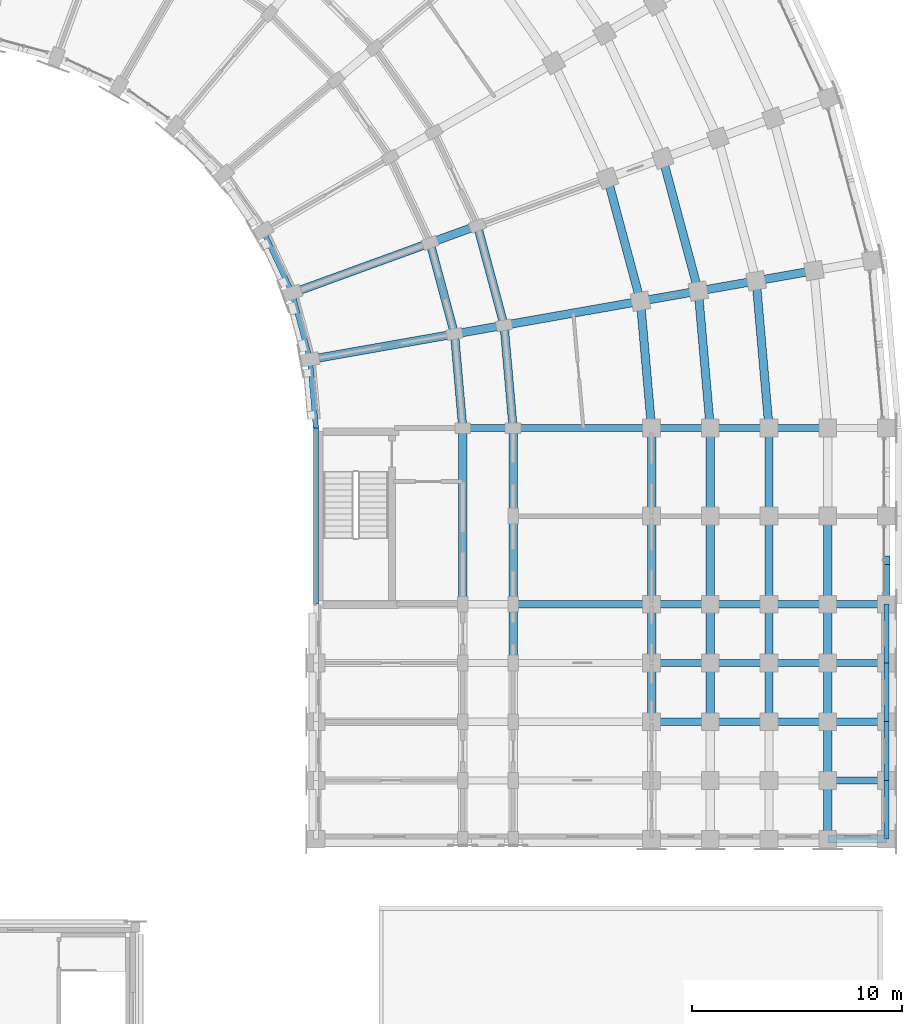
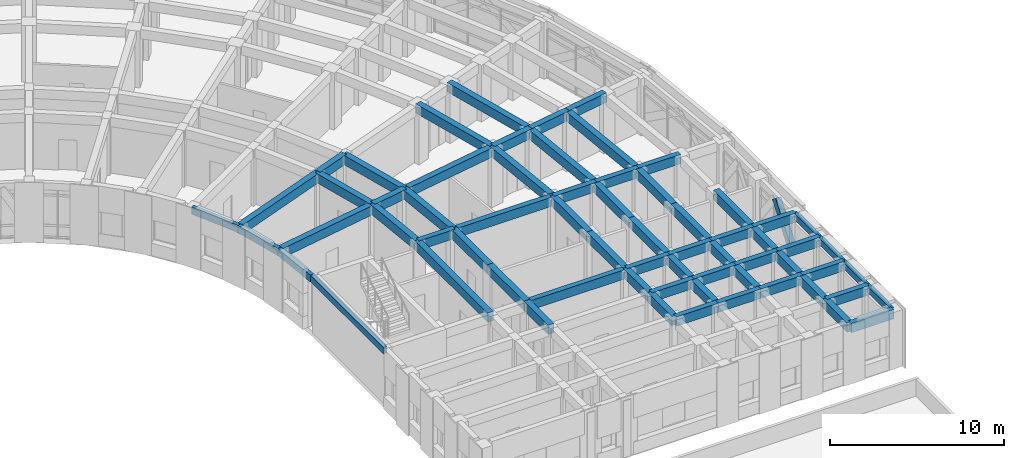
# One storey, part 31 of 97: 67 beams.
"""IFC4 building model written with IfcOpenShell, lengths in metres."""

from ifc_helpers import new_model, si_unit, direction, frame, origin, origin_2d, place, context, subcontext, project, spatial, rectangle, extrude, material, material_profile, profile_set, type_object, element, save


model = new_model("IFC4")

# Units and contexts
model_context = context("Model", 3, precision=1e-05, world=origin(), true_north=direction((0.0, 1.0)))
body_context = subcontext(model_context, "Body", "Model", "MODEL_VIEW")
ifc_project = project(units=[si_unit("LENGTHUNIT", "METRE"), si_unit("AREAUNIT", "SQUARE_METRE"), si_unit("VOLUMEUNIT", "CUBIC_METRE"), si_unit("PLANEANGLEUNIT", "RADIAN"), si_unit("MASSUNIT", "GRAM", prefix="KILO")], contexts=[model_context])

# Site, building, storey
site_placement = place(None, origin())
site = spatial("IfcSite", under=ifc_project, at=site_placement, CompositionType="ELEMENT")
building_placement = place(site_placement, origin())
building = spatial("IfcBuilding", under=site, at=building_placement, Name="Kiranvali Square Residences", CompositionType="ELEMENT")
storey_placement = place(building_placement, frame((0.0, 0.0, 4.5)))
storey = spatial("IfcBuildingStorey", under=building, at=storey_placement, Name="L01", CompositionType="ELEMENT", Elevation=4.5)

# Beams
ifc_material_1 = material(Name="Concrete M40 (40 MPa)", Category="concrete")
ifc_material_profile_1 = material_profile(ifc_material_1, rectangle(XDim=0.35009765625, YDim=0.5, at=origin_2d()), Name="RC 350x500")
ifc_profile_set_1 = profile_set([ifc_material_profile_1], Name="Concrete M40 (40 MPa)")
beam_type_1 = type_object("IfcBeamType", Name="AR-M40-350x500", PredefinedType="USERDEFINED", material=ifc_profile_set_1)
beam_1_placement = place(storey_placement, frame((165.800048828125, 81.5, 3.64990234375), z_axis=(0.0, -0.599545163906, -0.800340925129), x_axis=(1.0, 0.0, 0.0)))
element("IfcBeam", 1, at=beam_1_placement, inside=storey, type_object=beam_type_1, Name="Classical pointed Ottoman arch rib ARCH-B-A2-1.2", ObjectType="ARCH RIB", PredefinedType="USERDEFINED", context=body_context, shape_type="SweptSolid", body=[
    extrude(rectangle(XDim=0.35009765625, YDim=0.5, at=origin_2d()), origin(), (0.0, 0.0, 1.0), 3.43603515625),
])
ifc_material_profile_2 = material_profile(ifc_material_1, rectangle(XDim=0.35009765625, YDim=0.64990234375, at=origin_2d()), Name="RC 350x650")
ifc_profile_set_2 = profile_set([ifc_material_profile_2], Name="Concrete M40 (40 MPa)")
beam_type_2 = type_object("IfcBeamType", Name="BM-M40-350x650", PredefinedType="BEAM", material=ifc_profile_set_2)
beam_2_placement = place(storey_placement, frame((145.60009765625, 87.800048828125, 3.655029296875), z_axis=(1.0, 0.0, 0.0), x_axis=(0.0, 1.0, 0.0)))
element("IfcBeam", 2, at=beam_2_placement, inside=storey, type_object=beam_type_2, Name="L01 beam BM-B-L01-A2T0-12", PredefinedType="BEAM", context=body_context, shape_type="SweptSolid", body=[
    extrude(rectangle(XDim=0.35009765625, YDim=0.64990234375, at=origin_2d()), origin(), (0.0, 0.0, 1.0), 2.39990234375),
])
beam_3_placement = place(storey_placement, frame((148.0, 87.800048828125, 3.655029296875), z_axis=(1.0, 0.0, 0.0), x_axis=(0.0, 1.0, 0.0)))
element("IfcBeam", 3, at=beam_3_placement, inside=storey, type_object=beam_type_2, Name="L01 beam BM-B-L01-A2T0-23", PredefinedType="BEAM", context=body_context, shape_type="SweptSolid", body=[
    extrude(rectangle(XDim=0.35009765625, YDim=0.64990234375, at=origin_2d()), origin(), (0.0, 0.0, 1.0), 6.60009765625),
])
beam_4_placement = place(storey_placement, frame((154.60009765625, 87.800048828125, 3.655029296875), z_axis=(1.0, 0.0, 0.0), x_axis=(0.0, 1.0, 0.0)))
element("IfcBeam", 4, at=beam_4_placement, inside=storey, type_object=beam_type_2, Name="L01 beam BM-B-L01-A2T0-34", PredefinedType="BEAM", context=body_context, shape_type="SweptSolid", body=[
    extrude(rectangle(XDim=0.35009765625, YDim=0.64990234375, at=origin_2d()), origin(), (0.0, 0.0, 1.0), 2.7998046875),
])
for number, where, z_axis, x_axis, name in (
    (5, (157.39990234375, 87.800048828125, 3.655029296875), (1.0, 0.0, 0.0), (0.0, 1.0, 0.0), "L01 beam BM-B-L01-A2T0-45"),
    (6, (160.199951171875, 87.800048828125, 3.655029296875), (1.0, 0.0, 0.0), (0.0, 1.0, 0.0), "L01 beam BM-B-L01-A2T0-56"),
):
    element("IfcBeam", number, at=place(storey_placement, frame(where, z_axis=z_axis, x_axis=x_axis)), inside=storey, type_object=beam_type_2, Name=name, PredefinedType="BEAM", context=body_context, shape_type="SweptSolid", body=[
        extrude(rectangle(XDim=0.35009765625, YDim=0.64990234375, at=origin_2d()), origin(), (0.0, 0.0, 1.0), 2.800048828125),
    ])
beam_5_placement = place(storey_placement, frame((148.0, 79.39990234375, 3.655029296875), z_axis=(1.0, 0.0, 0.0), x_axis=(0.0, 1.0, 0.0)))
element("IfcBeam", 7, at=beam_5_placement, inside=storey, type_object=beam_type_2, Name="L01 beam BM-B-L01-A2T1-23", PredefinedType="BEAM", context=body_context, shape_type="SweptSolid", body=[
    extrude(rectangle(XDim=0.35009765625, YDim=0.64990234375, at=origin_2d()), origin(), (0.0, 0.0, 1.0), 6.60009765625),
])
beam_6_placement = place(storey_placement, frame((154.60009765625, 79.39990234375, 3.655029296875), z_axis=(1.0, 0.0, 0.0), x_axis=(0.0, 1.0, 0.0)))
element("IfcBeam", 8, at=beam_6_placement, inside=storey, type_object=beam_type_2, Name="L01 beam BM-B-L01-A2T1-34", PredefinedType="BEAM", context=body_context, shape_type="SweptSolid", body=[
    extrude(rectangle(XDim=0.35009765625, YDim=0.64990234375, at=origin_2d()), origin(), (0.0, 0.0, 1.0), 2.7998046875),
])
for number, where, z_axis, x_axis, name in (
    (9, (157.39990234375, 79.39990234375, 3.655029296875), (1.0, 0.0, 0.0), (0.0, 1.0, 0.0), "L01 beam BM-B-L01-A2T1-45"),
    (10, (160.199951171875, 79.39990234375, 3.655029296875), (1.0, 0.0, 0.0), (0.0, 1.0, 0.0), "L01 beam BM-B-L01-A2T1-56"),
    (11, (163.0, 79.39990234375, 3.655029296875), (1.0, 0.0, 0.0), (0.0, 1.0, 0.0), "L01 beam BM-B-L01-A2T1-67"),
):
    element("IfcBeam", number, at=place(storey_placement, frame(where, z_axis=z_axis, x_axis=x_axis)), inside=storey, type_object=beam_type_2, Name=name, PredefinedType="BEAM", context=body_context, shape_type="SweptSolid", body=[
        extrude(rectangle(XDim=0.35009765625, YDim=0.64990234375, at=origin_2d()), origin(), (0.0, 0.0, 1.0), 2.800048828125),
    ])
beam_7_placement = place(storey_placement, frame((154.60009765625, 76.60009765625, 3.655029296875), z_axis=(1.0, 0.0, 0.0), x_axis=(0.0, 1.0, 0.0)))
element("IfcBeam", 12, at=beam_7_placement, inside=storey, type_object=beam_type_2, Name="L01 beam BM-B-L01-A2T2-34", PredefinedType="BEAM", context=body_context, shape_type="SweptSolid", body=[
    extrude(rectangle(XDim=0.35009765625, YDim=0.64990234375, at=origin_2d()), origin(), (0.0, 0.0, 1.0), 2.7998046875),
])
for number, where, z_axis, x_axis, name in (
    (13, (157.39990234375, 76.60009765625, 3.655029296875), (1.0, 0.0, 0.0), (0.0, 1.0, 0.0), "L01 beam BM-B-L01-A2T2-45"),
    (14, (160.199951171875, 76.60009765625, 3.655029296875), (1.0, 0.0, 0.0), (0.0, 1.0, 0.0), "L01 beam BM-B-L01-A2T2-56"),
    (15, (163.0, 76.60009765625, 3.655029296875), (1.0, 0.0, 0.0), (0.0, 1.0, 0.0), "L01 beam BM-B-L01-A2T2-67"),
):
    element("IfcBeam", number, at=place(storey_placement, frame(where, z_axis=z_axis, x_axis=x_axis)), inside=storey, type_object=beam_type_2, Name=name, PredefinedType="BEAM", context=body_context, shape_type="SweptSolid", body=[
        extrude(rectangle(XDim=0.35009765625, YDim=0.64990234375, at=origin_2d()), origin(), (0.0, 0.0, 1.0), 2.800048828125),
    ])
beam_8_placement = place(storey_placement, frame((154.60009765625, 73.800048828125, 3.655029296875), z_axis=(1.0, 0.0, 0.0), x_axis=(0.0, 1.0, 0.0)))
element("IfcBeam", 16, at=beam_8_placement, inside=storey, type_object=beam_type_2, Name="L01 beam BM-B-L01-A2T3-34", PredefinedType="BEAM", context=body_context, shape_type="SweptSolid", body=[
    extrude(rectangle(XDim=0.35009765625, YDim=0.64990234375, at=origin_2d()), origin(), (0.0, 0.0, 1.0), 2.7998046875),
])
for number, where, z_axis, x_axis, name in (
    (17, (157.39990234375, 73.800048828125, 3.655029296875), (1.0, 0.0, 0.0), (0.0, 1.0, 0.0), "L01 beam BM-B-L01-A2T3-45"),
    (18, (160.199951171875, 73.800048828125, 3.655029296875), (1.0, 0.0, 0.0), (0.0, 1.0, 0.0), "L01 beam BM-B-L01-A2T3-56"),
    (19, (163.0, 73.800048828125, 3.655029296875), (1.0, 0.0, 0.0), (0.0, 1.0, 0.0), "L01 beam BM-B-L01-A2T3-67"),
    (20, (163.0, 71.0, 3.655029296875), (1.0, 0.0, 0.0), (0.0, 1.0, 0.0), "L01 beam BM-B-L01-A2T4-67"),
    (21, (163.0, 68.199951171875, 3.655029296875), (1.0, 0.0, 0.0), (0.0, 1.0, 0.0), "L01 beam BM-B-L01-A2T5-67"),
):
    element("IfcBeam", number, at=place(storey_placement, frame(where, z_axis=z_axis, x_axis=x_axis)), inside=storey, type_object=beam_type_2, Name=name, PredefinedType="BEAM", context=body_context, shape_type="SweptSolid", body=[
        extrude(rectangle(XDim=0.35009765625, YDim=0.64990234375, at=origin_2d()), origin(), (0.0, 0.0, 1.0), 2.800048828125),
    ])
ifc_material_2 = material(Name="Concrete M45 (45 MPa)", Category="concrete")
ifc_material_profile_3 = material_profile(ifc_material_2, rectangle(XDim=0.39990234375, YDim=0.64990234375, at=origin_2d()), Name="RC 400x650")
ifc_profile_set_3 = profile_set([ifc_material_profile_3], Name="Concrete M45 (45 MPa)")
beam_type_3 = type_object("IfcBeamType", Name="BM-M45-400x650", PredefinedType="BEAM", material=ifc_profile_set_3)
beam_9_placement = place(storey_placement, frame((144.044189453125, 96.6240234375, 3.655029296875), z_axis=(0.258787642463, -0.965934240054, 0.0), x_axis=(0.965934240054, 0.258787642463, 0.0)))
element("IfcBeam", 22, at=beam_9_placement, inside=storey, type_object=beam_type_3, Name="L01 beam BM-B-L01-C07-R1", PredefinedType="BEAM", context=body_context, shape_type="SweptSolid", body=[
    extrude(rectangle(XDim=0.39990234375, YDim=0.64990234375, at=origin_2d()), origin(), (0.0, 0.0, 1.0), 4.497314453125),
])
beam_10_placement = place(storey_placement, frame((146.29931640625, 97.445068359375, 3.655029296875), z_axis=(0.258803112091, -0.965930095386, 0.0), x_axis=(0.965930095386, 0.258803112091, 0.0)))
element("IfcBeam", 23, at=beam_10_placement, inside=storey, type_object=beam_type_3, Name="L01 beam BM-B-L01-C07-R2", PredefinedType="BEAM", context=body_context, shape_type="SweptSolid", body=[
    extrude(rectangle(XDim=0.39990234375, YDim=0.64990234375, at=origin_2d()), origin(), (0.0, 0.0, 1.0), 4.915771484375),
])
beam_11_placement = place(storey_placement, frame((152.501220703125, 99.702392578125, 3.655029296875), z_axis=(0.258827283048, -0.965923618901, 0.0), x_axis=(0.965923618901, 0.258827283048, 0.0)))
element("IfcBeam", 24, at=beam_11_placement, inside=storey, type_object=beam_type_3, Name="L01 beam BM-B-L01-C07-R3", PredefinedType="BEAM", context=body_context, shape_type="SweptSolid", body=[
    extrude(rectangle(XDim=0.39990234375, YDim=0.64990234375, at=origin_2d()), origin(), (0.0, 0.0, 1.0), 6.066162109375),
])
beam_12_placement = place(storey_placement, frame((155.13232421875, 100.659912109375, 3.655029296875), z_axis=(0.258847178297, -0.965918287583, 0.0), x_axis=(0.965918287583, 0.258847178297, 0.0)))
element("IfcBeam", 25, at=beam_12_placement, inside=storey, type_object=beam_type_3, Name="L01 beam BM-B-L01-C07-R4", PredefinedType="BEAM", context=body_context, shape_type="SweptSolid", body=[
    extrude(rectangle(XDim=0.39990234375, YDim=0.64990234375, at=origin_2d()), origin(), (0.0, 0.0, 1.0), 6.55419921875),
])
beam_13_placement = place(storey_placement, frame((145.2080078125, 92.280029296875, 3.655029296875), z_axis=(0.087187153726, -0.996191949488, 0.0), x_axis=(0.996191949488, 0.087187153726, 0.0)))
element("IfcBeam", 26, at=beam_13_placement, inside=storey, type_object=beam_type_3, Name="L01 beam BM-B-L01-C08-R1", PredefinedType="BEAM", context=body_context, shape_type="SweptSolid", body=[
    extrude(rectangle(XDim=0.39990234375, YDim=0.64990234375, at=origin_2d()), origin(), (0.0, 0.0, 1.0), 4.4970703125),
])
beam_14_placement = place(storey_placement, frame((147.571533203125, 92.69677734375, 3.655029296875), z_axis=(0.087167566415, -0.996193663584, 0.0), x_axis=(0.996193663584, 0.087167566415, 0.0)))
element("IfcBeam", 27, at=beam_14_placement, inside=storey, type_object=beam_type_3, Name="L01 beam BM-B-L01-C08-R2", PredefinedType="BEAM", context=body_context, shape_type="SweptSolid", body=[
    extrude(rectangle(XDim=0.39990234375, YDim=0.64990234375, at=origin_2d()), origin(), (0.0, 0.0, 1.0), 4.91552734375),
])
beam_15_placement = place(storey_placement, frame((154.0712890625, 93.843017578125, 3.655029296875), z_axis=(0.087174938512, -0.996193018494, 0.0), x_axis=(0.996193018494, 0.087174938512, 0.0)))
element("IfcBeam", 28, at=beam_15_placement, inside=storey, type_object=beam_type_3, Name="L01 beam BM-B-L01-C08-R3", PredefinedType="BEAM", context=body_context, shape_type="SweptSolid", body=[
    extrude(rectangle(XDim=0.39990234375, YDim=0.64990234375, at=origin_2d()), origin(), (0.0, 0.0, 1.0), 6.066162109375),
])
beam_16_placement = place(storey_placement, frame((156.828857421875, 94.3291015625, 3.655029296875), z_axis=(0.0871295204, -0.996196991902, 0.0), x_axis=(0.996196991902, 0.0871295204, 0.0)))
element("IfcBeam", 29, at=beam_16_placement, inside=storey, type_object=beam_type_3, Name="L01 beam BM-B-L01-C08-R4", PredefinedType="BEAM", context=body_context, shape_type="SweptSolid", body=[
    extrude(rectangle(XDim=0.39990234375, YDim=0.64990234375, at=origin_2d()), origin(), (0.0, 0.0, 1.0), 6.553955078125),
])
beam_17_placement = place(storey_placement, frame((159.586181640625, 94.8154296875, 3.655029296875), z_axis=(0.087156198737, -0.996194658198, 0.0), x_axis=(0.996194658198, 0.087156198737, 0.0)))
element("IfcBeam", 30, at=beam_17_placement, inside=storey, type_object=beam_type_3, Name="L01 beam BM-B-L01-C08-R5", PredefinedType="BEAM", context=body_context, shape_type="SweptSolid", body=[
    extrude(rectangle(XDim=0.39990234375, YDim=0.64990234375, at=origin_2d()), origin(), (0.0, 0.0, 1.0), 7.042236328125),
])
beam_18_placement = place(storey_placement, frame((137.46630859375, 94.22998046875, 3.655029296875), z_axis=(0.939697665127, 0.342006283793, 0.0), x_axis=(-0.342006283793, 0.939697665127, 0.0)))
element("IfcBeam", 31, at=beam_18_placement, inside=storey, type_object=beam_type_3, Name="L01 beam BM-B-L01-RAD07-01", PredefinedType="BEAM", context=body_context, shape_type="SweptSolid", body=[
    extrude(rectangle(XDim=0.39990234375, YDim=0.64990234375, at=origin_2d()), origin(), (0.0, 0.0, 1.0), 7.0),
])
beam_19_placement = place(storey_placement, frame((144.044189453125, 96.6240234375, 3.655029296875), z_axis=(0.939659694648, 0.342110593602, 0.0), x_axis=(-0.342110593602, 0.939659694648, 0.0)))
element("IfcBeam", 32, at=beam_19_placement, inside=storey, type_object=beam_type_3, Name="L01 beam BM-B-L01-RAD07-12", PredefinedType="BEAM", context=body_context, shape_type="SweptSolid", body=[
    extrude(rectangle(XDim=0.39990234375, YDim=0.64990234375, at=origin_2d()), origin(), (0.0, 0.0, 1.0), 2.39990234375),
])
beam_20_placement = place(storey_placement, frame((138.314453125, 91.064697265625, 3.655029296875), z_axis=(0.984812337125, 0.173622177865, 0.0), x_axis=(-0.173622177865, 0.984812337125, 0.0)))
element("IfcBeam", 33, at=beam_20_placement, inside=storey, type_object=beam_type_3, Name="L01 beam BM-B-L01-RAD08-01", PredefinedType="BEAM", context=body_context, shape_type="SweptSolid", body=[
    extrude(rectangle(XDim=0.39990234375, YDim=0.64990234375, at=origin_2d()), origin(), (0.0, 0.0, 1.0), 6.999755859375),
])
beam_21_placement = place(storey_placement, frame((145.2080078125, 92.280029296875, 3.655029296875), z_axis=(0.984808127031, 0.173646056486, 0.0), x_axis=(-0.173646056486, 0.984808127031, 0.0)))
element("IfcBeam", 34, at=beam_21_placement, inside=storey, type_object=beam_type_3, Name="L01 beam BM-B-L01-RAD08-12", PredefinedType="BEAM", context=body_context, shape_type="SweptSolid", body=[
    extrude(rectangle(XDim=0.39990234375, YDim=0.64990234375, at=origin_2d()), origin(), (0.0, 0.0, 1.0), 2.39990234375),
])
beam_22_placement = place(storey_placement, frame((147.571533203125, 92.69677734375, 3.655029296875), z_axis=(0.984803661269, 0.173671381499, 0.0), x_axis=(-0.173671381499, 0.984803661269, 0.0)))
element("IfcBeam", 35, at=beam_22_placement, inside=storey, type_object=beam_type_3, Name="L01 beam BM-B-L01-RAD08-23", PredefinedType="BEAM", context=body_context, shape_type="SweptSolid", body=[
    extrude(rectangle(XDim=0.39990234375, YDim=0.64990234375, at=origin_2d()), origin(), (0.0, 0.0, 1.0), 6.60009765625),
])
beam_23_placement = place(storey_placement, frame((154.0712890625, 93.843017578125, 3.655029296875), z_axis=(0.984816895441, 0.173596320392, 0.0), x_axis=(-0.173596320392, 0.984816895441, 0.0)))
element("IfcBeam", 36, at=beam_23_placement, inside=storey, type_object=beam_type_3, Name="L01 beam BM-B-L01-RAD08-34", PredefinedType="BEAM", context=body_context, shape_type="SweptSolid", body=[
    extrude(rectangle(XDim=0.39990234375, YDim=0.64990234375, at=origin_2d()), origin(), (0.0, 0.0, 1.0), 2.800048828125),
])
beam_24_placement = place(storey_placement, frame((156.828857421875, 94.3291015625, 3.655029296875), z_axis=(0.984799355489, 0.173695795656, 0.0), x_axis=(-0.173695795656, 0.984799355489, 0.0)))
element("IfcBeam", 37, at=beam_24_placement, inside=storey, type_object=beam_type_3, Name="L01 beam BM-B-L01-RAD08-45", PredefinedType="BEAM", context=body_context, shape_type="SweptSolid", body=[
    extrude(rectangle(XDim=0.39990234375, YDim=0.64990234375, at=origin_2d()), origin(), (0.0, 0.0, 1.0), 2.7998046875),
])
beam_25_placement = place(storey_placement, frame((159.586181640625, 94.8154296875, 3.655029296875), z_axis=(0.984816895441, 0.173596320392, 0.0), x_axis=(-0.173596320392, 0.984816895441, 0.0)))
element("IfcBeam", 38, at=beam_25_placement, inside=storey, type_object=beam_type_3, Name="L01 beam BM-B-L01-RAD08-56", PredefinedType="BEAM", context=body_context, shape_type="SweptSolid", body=[
    extrude(rectangle(XDim=0.39990234375, YDim=0.64990234375, at=origin_2d()), origin(), (0.0, 0.0, 1.0), 2.800048828125),
])
beam_26_placement = place(storey_placement, frame((145.60009765625, 87.800048828125, 3.655029296875), z_axis=(0.0, -1.0, 0.0), x_axis=(1.0, 0.0, 0.0)))
element("IfcBeam", 39, at=beam_26_placement, inside=storey, type_object=beam_type_3, Name="L01 beam BM-B-L01-A2V0-R1", PredefinedType="BEAM", context=body_context, shape_type="SweptSolid", body=[
    extrude(rectangle(XDim=0.39990234375, YDim=0.64990234375, at=origin_2d()), origin(), (0.0, 0.0, 1.0), 8.400146484375),
])
beam_27_placement = place(storey_placement, frame((148.0, 87.800048828125, 3.655029296875), z_axis=(0.0, -1.0, 0.0), x_axis=(1.0, 0.0, 0.0)))
element("IfcBeam", 40, at=beam_27_placement, inside=storey, type_object=beam_type_3, Name="L01 beam BM-B-L01-A2V0-R2", PredefinedType="BEAM", context=body_context, shape_type="SweptSolid", body=[
    extrude(rectangle(XDim=0.39990234375, YDim=0.64990234375, at=origin_2d()), origin(), (0.0, 0.0, 1.0), 4.199951171875),
])
beam_28_placement = place(storey_placement, frame((148.0, 83.60009765625, 3.655029296875), z_axis=(0.0, -1.0, 0.0), x_axis=(1.0, 0.0, 0.0)))
element("IfcBeam", 41, at=beam_28_placement, inside=storey, type_object=beam_type_3, Name="L01 beam BM-B-L01-A2V1-R2", PredefinedType="BEAM", context=body_context, shape_type="SweptSolid", body=[
    extrude(rectangle(XDim=0.39990234375, YDim=0.64990234375, at=origin_2d()), origin(), (0.0, 0.0, 1.0), 4.2001953125),
])
beam_29_placement = place(storey_placement, frame((148.0, 79.39990234375, 3.655029296875), z_axis=(0.0, -1.0, 0.0), x_axis=(1.0, 0.0, 0.0)))
element("IfcBeam", 42, at=beam_29_placement, inside=storey, type_object=beam_type_3, Name="L01 beam BM-B-L01-A2V2-R2", PredefinedType="BEAM", context=body_context, shape_type="SweptSolid", body=[
    extrude(rectangle(XDim=0.39990234375, YDim=0.64990234375, at=origin_2d()), origin(), (0.0, 0.0, 1.0), 2.7998046875),
])
beam_30_placement = place(storey_placement, frame((154.60009765625, 87.800048828125, 3.655029296875), z_axis=(0.0, -1.0, 0.0), x_axis=(1.0, 0.0, 0.0)))
element("IfcBeam", 43, at=beam_30_placement, inside=storey, type_object=beam_type_3, Name="L01 beam BM-B-L01-A2V0-R3", PredefinedType="BEAM", context=body_context, shape_type="SweptSolid", body=[
    extrude(rectangle(XDim=0.39990234375, YDim=0.64990234375, at=origin_2d()), origin(), (0.0, 0.0, 1.0), 4.199951171875),
])
beam_31_placement = place(storey_placement, frame((154.60009765625, 83.60009765625, 3.655029296875), z_axis=(0.0, -1.0, 0.0), x_axis=(1.0, 0.0, 0.0)))
element("IfcBeam", 44, at=beam_31_placement, inside=storey, type_object=beam_type_3, Name="L01 beam BM-B-L01-A2V1-R3", PredefinedType="BEAM", context=body_context, shape_type="SweptSolid", body=[
    extrude(rectangle(XDim=0.39990234375, YDim=0.64990234375, at=origin_2d()), origin(), (0.0, 0.0, 1.0), 4.2001953125),
])
beam_32_placement = place(storey_placement, frame((154.60009765625, 79.39990234375, 3.655029296875), z_axis=(0.0, -1.0, 0.0), x_axis=(1.0, 0.0, 0.0)))
element("IfcBeam", 45, at=beam_32_placement, inside=storey, type_object=beam_type_3, Name="L01 beam BM-B-L01-A2V2-R3", PredefinedType="BEAM", context=body_context, shape_type="SweptSolid", body=[
    extrude(rectangle(XDim=0.39990234375, YDim=0.64990234375, at=origin_2d()), origin(), (0.0, 0.0, 1.0), 2.7998046875),
])
beam_33_placement = place(storey_placement, frame((154.60009765625, 76.60009765625, 3.655029296875), z_axis=(0.0, -1.0, 0.0), x_axis=(1.0, 0.0, 0.0)))
element("IfcBeam", 46, at=beam_33_placement, inside=storey, type_object=beam_type_3, Name="L01 beam BM-B-L01-A2V3-R3", PredefinedType="BEAM", context=body_context, shape_type="SweptSolid", body=[
    extrude(rectangle(XDim=0.39990234375, YDim=0.64990234375, at=origin_2d()), origin(), (0.0, 0.0, 1.0), 2.800048828125),
])
beam_34_placement = place(storey_placement, frame((157.39990234375, 87.800048828125, 3.655029296875), z_axis=(0.0, -1.0, 0.0), x_axis=(1.0, 0.0, 0.0)))
element("IfcBeam", 47, at=beam_34_placement, inside=storey, type_object=beam_type_3, Name="L01 beam BM-B-L01-A2V0-R4", PredefinedType="BEAM", context=body_context, shape_type="SweptSolid", body=[
    extrude(rectangle(XDim=0.39990234375, YDim=0.64990234375, at=origin_2d()), origin(), (0.0, 0.0, 1.0), 4.199951171875),
])
beam_35_placement = place(storey_placement, frame((157.39990234375, 83.60009765625, 3.655029296875), z_axis=(0.0, -1.0, 0.0), x_axis=(1.0, 0.0, 0.0)))
element("IfcBeam", 48, at=beam_35_placement, inside=storey, type_object=beam_type_3, Name="L01 beam BM-B-L01-A2V1-R4", PredefinedType="BEAM", context=body_context, shape_type="SweptSolid", body=[
    extrude(rectangle(XDim=0.39990234375, YDim=0.64990234375, at=origin_2d()), origin(), (0.0, 0.0, 1.0), 4.2001953125),
])
beam_36_placement = place(storey_placement, frame((157.39990234375, 79.39990234375, 3.655029296875), z_axis=(0.0, -1.0, 0.0), x_axis=(1.0, 0.0, 0.0)))
element("IfcBeam", 49, at=beam_36_placement, inside=storey, type_object=beam_type_3, Name="L01 beam BM-B-L01-A2V2-R4", PredefinedType="BEAM", context=body_context, shape_type="SweptSolid", body=[
    extrude(rectangle(XDim=0.39990234375, YDim=0.64990234375, at=origin_2d()), origin(), (0.0, 0.0, 1.0), 2.7998046875),
])
beam_37_placement = place(storey_placement, frame((157.39990234375, 76.60009765625, 3.655029296875), z_axis=(0.0, -1.0, 0.0), x_axis=(1.0, 0.0, 0.0)))
element("IfcBeam", 50, at=beam_37_placement, inside=storey, type_object=beam_type_3, Name="L01 beam BM-B-L01-A2V3-R4", PredefinedType="BEAM", context=body_context, shape_type="SweptSolid", body=[
    extrude(rectangle(XDim=0.39990234375, YDim=0.64990234375, at=origin_2d()), origin(), (0.0, 0.0, 1.0), 2.800048828125),
])
beam_38_placement = place(storey_placement, frame((160.199951171875, 87.800048828125, 3.655029296875), z_axis=(0.0, -1.0, 0.0), x_axis=(1.0, 0.0, 0.0)))
element("IfcBeam", 51, at=beam_38_placement, inside=storey, type_object=beam_type_3, Name="L01 beam BM-B-L01-A2V0-R5", PredefinedType="BEAM", context=body_context, shape_type="SweptSolid", body=[
    extrude(rectangle(XDim=0.39990234375, YDim=0.64990234375, at=origin_2d()), origin(), (0.0, 0.0, 1.0), 4.199951171875),
])
beam_39_placement = place(storey_placement, frame((160.199951171875, 83.60009765625, 3.655029296875), z_axis=(0.0, -1.0, 0.0), x_axis=(1.0, 0.0, 0.0)))
element("IfcBeam", 52, at=beam_39_placement, inside=storey, type_object=beam_type_3, Name="L01 beam BM-B-L01-A2V1-R5", PredefinedType="BEAM", context=body_context, shape_type="SweptSolid", body=[
    extrude(rectangle(XDim=0.39990234375, YDim=0.64990234375, at=origin_2d()), origin(), (0.0, 0.0, 1.0), 4.2001953125),
])
beam_40_placement = place(storey_placement, frame((160.199951171875, 79.39990234375, 3.655029296875), z_axis=(0.0, -1.0, 0.0), x_axis=(1.0, 0.0, 0.0)))
element("IfcBeam", 53, at=beam_40_placement, inside=storey, type_object=beam_type_3, Name="L01 beam BM-B-L01-A2V2-R5", PredefinedType="BEAM", context=body_context, shape_type="SweptSolid", body=[
    extrude(rectangle(XDim=0.39990234375, YDim=0.64990234375, at=origin_2d()), origin(), (0.0, 0.0, 1.0), 2.7998046875),
])
beam_41_placement = place(storey_placement, frame((160.199951171875, 76.60009765625, 3.655029296875), z_axis=(0.0, -1.0, 0.0), x_axis=(1.0, 0.0, 0.0)))
element("IfcBeam", 54, at=beam_41_placement, inside=storey, type_object=beam_type_3, Name="L01 beam BM-B-L01-A2V3-R5", PredefinedType="BEAM", context=body_context, shape_type="SweptSolid", body=[
    extrude(rectangle(XDim=0.39990234375, YDim=0.64990234375, at=origin_2d()), origin(), (0.0, 0.0, 1.0), 2.800048828125),
])
beam_42_placement = place(storey_placement, frame((163.0, 83.60009765625, 3.655029296875), z_axis=(0.0, -1.0, 0.0), x_axis=(1.0, 0.0, 0.0)))
element("IfcBeam", 55, at=beam_42_placement, inside=storey, type_object=beam_type_3, Name="L01 beam BM-B-L01-A2V1-R6", PredefinedType="BEAM", context=body_context, shape_type="SweptSolid", body=[
    extrude(rectangle(XDim=0.39990234375, YDim=0.64990234375, at=origin_2d()), origin(), (0.0, 0.0, 1.0), 4.2001953125),
])
beam_43_placement = place(storey_placement, frame((163.0, 79.39990234375, 3.655029296875), z_axis=(0.0, -1.0, 0.0), x_axis=(1.0, 0.0, 0.0)))
element("IfcBeam", 56, at=beam_43_placement, inside=storey, type_object=beam_type_3, Name="L01 beam BM-B-L01-A2V2-R6", PredefinedType="BEAM", context=body_context, shape_type="SweptSolid", body=[
    extrude(rectangle(XDim=0.39990234375, YDim=0.64990234375, at=origin_2d()), origin(), (0.0, 0.0, 1.0), 2.7998046875),
])
for number, where, z_axis, x_axis, name in (
    (57, (163.0, 76.60009765625, 3.655029296875), (0.0, -1.0, 0.0), (1.0, 0.0, 0.0), "L01 beam BM-B-L01-A2V3-R6"),
    (58, (163.0, 73.800048828125, 3.655029296875), (0.0, -1.0, 0.0), (1.0, 0.0, 0.0), "L01 beam BM-B-L01-A2V4-R6"),
    (59, (163.0, 71.0, 3.655029296875), (0.0, -1.0, 0.0), (1.0, 0.0, 0.0), "L01 beam BM-B-L01-A2V5-R6"),
):
    element("IfcBeam", number, at=place(storey_placement, frame(where, z_axis=z_axis, x_axis=x_axis)), inside=storey, type_object=beam_type_3, Name=name, PredefinedType="BEAM", context=body_context, shape_type="SweptSolid", body=[
        extrude(rectangle(XDim=0.39990234375, YDim=0.64990234375, at=origin_2d()), origin(), (0.0, 0.0, 1.0), 2.800048828125),
    ])
ifc_material_profile_4 = material_profile(ifc_material_1, rectangle(XDim=0.25, YDim=0.449951171875, at=origin_2d()), Name="RC 250x450")
ifc_profile_set_4 = profile_set([ifc_material_profile_4], Name="Concrete M40 (40 MPa)")
beam_type_4 = type_object("IfcBeamType", Name="SPN-M40-250x450", PredefinedType="SPANDREL", material=ifc_profile_set_4)
beam_44_placement = place(storey_placement, frame((138.60009765625, 87.800048828125, 3.7548828125), z_axis=(0.0, -1.0, 0.0), x_axis=(1.0, 0.0, 0.0)))
element("IfcBeam", 60, at=beam_44_placement, inside=storey, type_object=beam_type_4, Name="L01 beam BM-B-L01-A2V0-R0", PredefinedType="SPANDREL", context=body_context, shape_type="SweptSolid", body=[
    extrude(rectangle(XDim=0.25, YDim=0.449951171875, at=origin_2d()), origin(), (0.0, 0.0, 1.0), 8.400146484375),
])
beam_45_placement = place(storey_placement, frame((165.800048828125, 79.39990234375, 3.7548828125), z_axis=(0.0, -1.0, 0.0), x_axis=(1.0, 0.0, 0.0)))
element("IfcBeam", 61, at=beam_45_placement, inside=storey, type_object=beam_type_4, Name="L01 beam BM-B-L01-A2V2-R7", PredefinedType="SPANDREL", context=body_context, shape_type="SweptSolid", body=[
    extrude(rectangle(XDim=0.25, YDim=0.449951171875, at=origin_2d()), origin(), (0.0, 0.0, 1.0), 2.7998046875),
])
for number, where, z_axis, x_axis, name in (
    (62, (165.800048828125, 76.60009765625, 3.7548828125), (0.0, -1.0, 0.0), (1.0, 0.0, 0.0), "L01 beam BM-B-L01-A2V3-R7"),
    (63, (165.800048828125, 73.800048828125, 3.7548828125), (0.0, -1.0, 0.0), (1.0, 0.0, 0.0), "L01 beam BM-B-L01-A2V4-R7"),
    (64, (165.800048828125, 71.0, 3.7548828125), (0.0, -1.0, 0.0), (1.0, 0.0, 0.0), "L01 beam BM-B-L01-A2V5-R7"),
):
    element("IfcBeam", number, at=place(storey_placement, frame(where, z_axis=z_axis, x_axis=x_axis)), inside=storey, type_object=beam_type_4, Name=name, PredefinedType="SPANDREL", context=body_context, shape_type="SweptSolid", body=[
        extrude(rectangle(XDim=0.25, YDim=0.449951171875, at=origin_2d()), origin(), (0.0, 0.0, 1.0), 2.800048828125),
    ])
ifc_material_profile_5 = material_profile(ifc_material_1, rectangle(XDim=0.25, YDim=0.5, at=origin_2d()), Name="RC 250x500")
ifc_profile_set_5 = profile_set([ifc_material_profile_5], Name="Concrete M40 (40 MPa)")
beam_type_5 = type_object("IfcBeamType", Name="SPN-M40-250x500", PredefinedType="SPANDREL", material=ifc_profile_set_5)
beam_46_placement = place(storey_placement, frame((136.081298828125, 97.199951171875, 3.72998046875), z_axis=(0.422640740585, -0.90629730464, 0.0), x_axis=(0.90629730464, 0.422640740585, 0.0)))
element("IfcBeam", 65, at=beam_46_placement, inside=storey, type_object=beam_type_5, Name="L01 beam BM-B-L01-C06-R0", PredefinedType="SPANDREL", context=body_context, shape_type="SweptSolid", body=[
    extrude(rectangle(XDim=0.25, YDim=0.5, at=origin_2d()), origin(), (0.0, 0.0, 1.0), 3.277099609375),
])
beam_47_placement = place(storey_placement, frame((137.46630859375, 94.22998046875, 3.72998046875), z_axis=(0.258821736607, -0.965925105099, 0.0), x_axis=(0.965925105099, 0.258821736607, 0.0)))
element("IfcBeam", 66, at=beam_47_placement, inside=storey, type_object=beam_type_5, Name="L01 beam BM-B-L01-C07-R0", PredefinedType="SPANDREL", context=body_context, shape_type="SweptSolid", body=[
    extrude(rectangle(XDim=0.25, YDim=0.5, at=origin_2d()), origin(), (0.0, 0.0, 1.0), 3.27685546875),
])
beam_48_placement = place(storey_placement, frame((138.314453125, 91.064697265625, 3.72998046875), z_axis=(0.087163253657, -0.996194040944, 0.0), x_axis=(0.996194040944, 0.087163253657, 0.0)))
element("IfcBeam", 67, at=beam_48_placement, inside=storey, type_object=beam_type_5, Name="L01 beam BM-B-L01-C08-R0", PredefinedType="SPANDREL", context=body_context, shape_type="SweptSolid", body=[
    extrude(rectangle(XDim=0.25, YDim=0.5, at=origin_2d()), origin(), (0.0, 0.0, 1.0), 3.277099609375),
])

save(model, "model.ifc")
